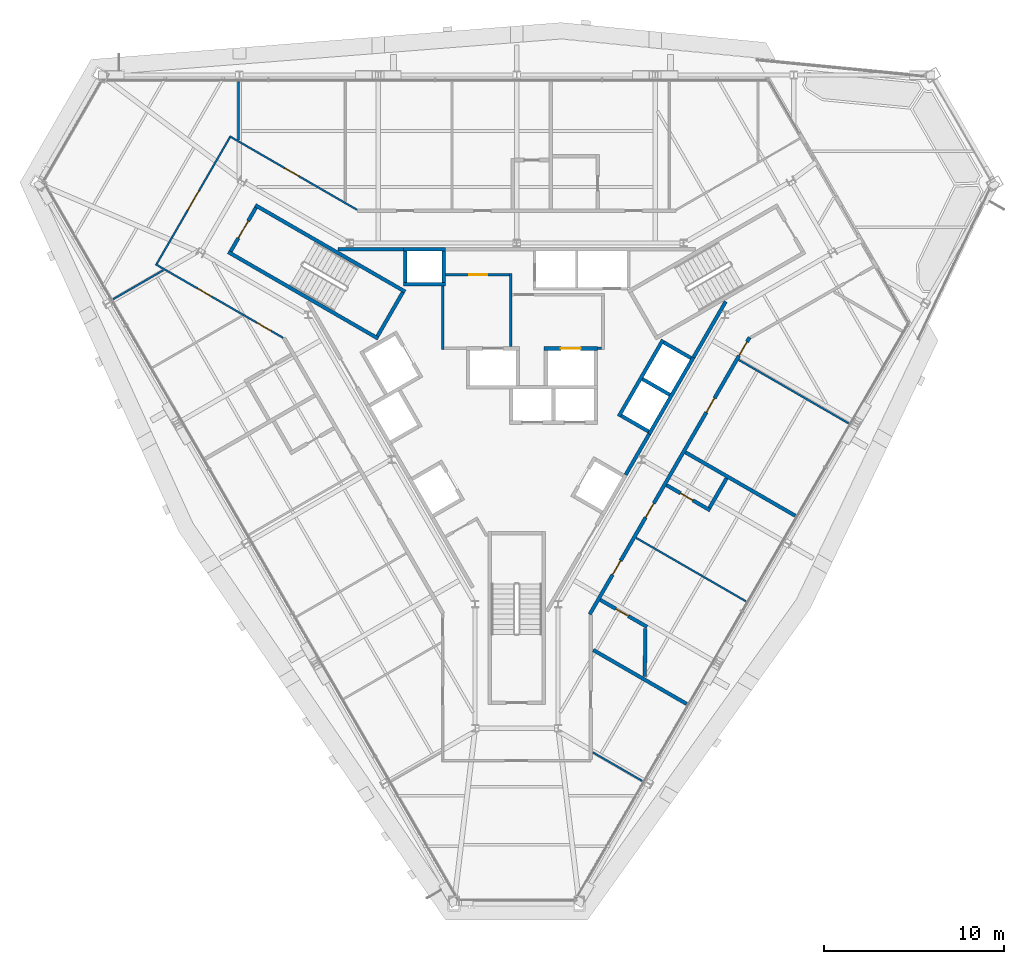
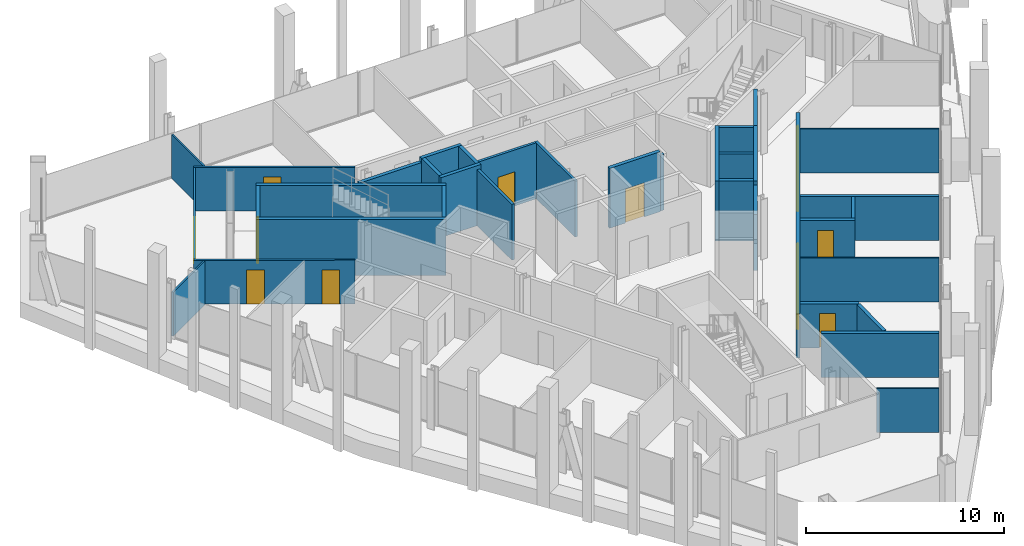
# One storey, part 9 of 13: 36 walls, 13 doors, 13 openings.
"""IFC4 building model written with IfcOpenShell, lengths in metres."""

from ifc_helpers import new_model, si_unit, direction, frame, frame_2d, origin, place, context, subcontext, project, spatial, rectangle, extrude, material, layer, layer_set, type_object, element, fill, save


model = new_model("IFC4")

# Units and contexts
model_context = context("Model", 3, precision=1e-05, world=origin(), true_north=direction((0.0, 1.0)))
body_context = subcontext(model_context, "Body", "Model", "MODEL_VIEW")
ifc_project = project(units=[si_unit("LENGTHUNIT", "METRE"), si_unit("AREAUNIT", "SQUARE_METRE"), si_unit("VOLUMEUNIT", "CUBIC_METRE"), si_unit("PLANEANGLEUNIT", "RADIAN"), si_unit("MASSUNIT", "GRAM", prefix="KILO")], contexts=[model_context])

# Site, building, storey
site_placement = place(None, origin())
site = spatial("IfcSite", under=ifc_project, at=site_placement, CompositionType="ELEMENT")
building_placement = place(site_placement, origin())
building = spatial("IfcBuilding", under=site, at=building_placement, Name="Verrane Prism Tower", CompositionType="ELEMENT")
storey_placement = place(building_placement, frame((0.0, 0.0, 171.0)))
storey = spatial("IfcBuildingStorey", under=building, at=storey_placement, Name="L42", CompositionType="ELEMENT", Elevation=171.0)

# Walls
ifc_material_1 = material(Name="Gypsum board partition", Category="other")
ifc_layer_1 = layer(ifc_material_1, 0.199951171875)
ifc_layer_set_1 = layer_set([ifc_layer_1], Name="CW-200 core boundary wall 2 h")
wall_type_1 = type_object("IfcWallType", Name="CW-200 core boundary wall 2 h", PredefinedType="PARTITIONING", material=ifc_layer_set_1)
wall_1_placement = place(storey_placement, frame((-9.907958984375, 7.659912109375, 0.0), z_axis=(0.0, 0.0, 1.0), x_axis=(1.0, 0.0, 0.0)))
element("IfcWall", 1, at=wall_1_placement, inside=storey, type_object=wall_type_1, Name="Core boundary wall CW3-002", PredefinedType="PARTITIONING", context=body_context, shape_type="SweptSolid", body=[
    extrude(rectangle(XDim=3.620849609375, YDim=0.199951171875, at=frame_2d((1.810546875, 0.0))), origin(), (0.0, 0.0, 1.0), 3.449951171875),
])
wall_2_placement = place(storey_placement, frame((6.0419921875, -4.85498046875, 0.0), z_axis=(0.0, 0.0, 1.0), x_axis=(0.500252727967, 0.865879442048, 0.0)))
element("IfcWall", 2, at=wall_2_placement, inside=storey, type_object=wall_type_1, Name="Core boundary wall CW3-007", PredefinedType="PARTITIONING", context=body_context, shape_type="SweptSolid", body=[
    extrude(rectangle(XDim=2.616943359375, YDim=0.199951171875, at=frame_2d((1.30859375, 0.0))), origin(), (0.0, 0.0, 1.0), 3.449951171875),
])
wall_3_placement = place(storey_placement, frame((9.802978515625, 1.657958984375, 0.0), z_axis=(0.0, 0.0, 1.0), x_axis=(0.499943114462, 0.866058244174, 0.0)))
element("IfcWall", 3, at=wall_3_placement, inside=storey, type_object=wall_type_1, Name="Core boundary wall CW3-008", PredefinedType="PARTITIONING", context=body_context, shape_type="SweptSolid", body=[
    extrude(rectangle(XDim=3.57568359375, YDim=0.199951171875, at=frame_2d((1.787841796875, 0.0))), origin(), (0.0, 0.0, 1.0), 3.449951171875),
])

# Wall, opening, door
ifc_material_2 = material(Name="Concrete C40/50", Category="concrete")
ifc_layer_2 = layer(ifc_material_2, 0.199951171875)
ifc_layer_set_2 = layer_set([ifc_layer_2], Name="CW-200 stair core wall concrete C40/50 3 h")
wall_type_2 = type_object("IfcWallType", Name="CW-200 stair core wall concrete C40/50 3 h", PredefinedType="PARTITIONING", material=ifc_layer_set_2)
wall_4_placement = place(storey_placement, frame((-14.455322265625, 9.96240234375, 0.0), z_axis=(0.0, 0.0, 1.0), x_axis=(-0.500049511043, -0.865996816683, 0.0)))
wall_4 = element("IfcWall", 4, at=wall_4_placement, inside=storey, type_object=wall_type_2, Name="Stair 2 enclosure wall", PredefinedType="PARTITIONING", context=body_context, shape_type="SweptSolid", body=[
    extrude(rectangle(XDim=2.800048828125, YDim=0.199951171875, at=frame_2d((1.39990234375, 0.0))), origin(), (0.0, 0.0, 1.0), 3.449951171875),
])
opening_1_placement = place(wall_4_placement, frame((0.849853515625, 0.0, 0.0)))
opening_1 = element("IfcOpeningElement", 5, at=opening_1_placement, cuts=wall_4, Name="Opening D42501", PredefinedType="OPENING", context=body_context, shape_type="SweptSolid", body=[
    extrude(rectangle(XDim=1.10009765625, YDim=2.10009765625, at=frame_2d((0.550048828125, 1.050048828125))), frame((0.0, 0.10986328125, 0.0), z_axis=(0.0, -1.0, 0.0), x_axis=(1.0, 0.0, 0.0)), (0.0, 0.0, 1.0), 0.219970703125),
])
ifc_material_3 = material(Name="Timber veneered door leaf", Category="wood")
door_type_1 = type_object("IfcDoorType", Name="DR-1100x2100 FD90 single leaf stair", OperationType="NOTDEFINED", PredefinedType="DOOR", material=ifc_material_3)
door_1_placement = place(opening_1_placement, origin())
door_1 = element("IfcDoor", 6, at=door_1_placement, inside=storey, type_object=door_type_1, Name="Stair 2 door", OperationType="SINGLE_SWING_RIGHT", OverallHeight=2.10009765625, OverallWidth=1.10009765625, PredefinedType="DOOR", context=body_context, shape_type="SweptSolid", body=[
    extrude(rectangle(XDim=1.10009765625, YDim=2.10009765625, at=frame_2d((0.550048828125, 1.050048828125))), frame((0.0, 0.02490234375, 0.0), z_axis=(0.0, -1.0, 0.0), x_axis=(1.0, 0.0, 0.0)), (0.0, 0.0, 1.0), 0.050048828125),
])
fill(opening_1, door_1)

# Walls
for number, where, z_axis, x_axis, name in (
    (7, (-7.67822265625, 2.700927734375, 0.0), (0.0, 0.0, 1.0), (-0.866019993635, 0.500009370536, 0.0), "Stair 2 enclosure wall"),
    (8, (-6.17822265625, 5.299072265625, 0.0), (0.0, 0.0, 1.0), (-0.866019993635, 0.500009370536, 0.0), "Stair 2 enclosure wall"),
):
    element("IfcWall", number, at=place(storey_placement, frame(where, z_axis=z_axis, x_axis=x_axis)), inside=storey, type_object=wall_type_2, Name=name, PredefinedType="PARTITIONING", context=body_context, shape_type="SweptSolid", body=[
        extrude(rectangle(XDim=9.599853515625, YDim=0.199951171875, at=frame_2d((4.7998046875, 0.0))), origin(), (0.0, 0.0, 1.0), 3.449951171875),
    ])
wall_5_placement = place(storey_placement, frame((-6.314697265625, 5.262451171875, 0.0), z_axis=(0.0, 0.0, 1.0), x_axis=(-0.500049511043, -0.865996816683, 0.0)))
element("IfcWall", 9, at=wall_5_placement, inside=storey, type_object=wall_type_2, Name="Stair 2 enclosure wall", PredefinedType="PARTITIONING", context=body_context, shape_type="SweptSolid", body=[
    extrude(rectangle(XDim=2.800048828125, YDim=0.199951171875, at=frame_2d((1.39990234375, 0.0))), origin(), (0.0, 0.0, 1.0), 3.449951171875),
])

# Wall, opening, door
ifc_material_4 = material(Name="Gypsum board shaft wall assembly", Category="other")
ifc_layer_3 = layer(ifc_material_4, 0.199951171875)
ifc_layer_set_3 = layer_set([ifc_layer_3], Name="HW-200 lift shaft wall 2 h")
wall_type_3 = type_object("IfcWallType", Name="HW-200 lift shaft wall 2 h", PredefinedType="PARTITIONING", material=ifc_layer_set_3)
wall_6_placement = place(storey_placement, frame((1.52490234375, 2.14990234375, 0.0), z_axis=(0.0, 0.0, 1.0), x_axis=(1.0, 0.0, 0.0)))
wall_6 = element("IfcWall", 10, at=wall_6_placement, inside=storey, type_object=wall_type_3, Name="Lift shaft wall", PredefinedType="PARTITIONING", context=body_context, shape_type="SweptSolid", body=[
    extrude(rectangle(XDim=2.9501953125, YDim=0.199951171875, at=frame_2d((1.47509765625, 0.0))), origin(), (0.0, 0.0, 1.0), 3.699951171875),
])
opening_2_placement = place(wall_6_placement, frame((0.925048828125, 0.0, 0.0)))
opening_2 = element("IfcOpeningElement", 11, at=opening_2_placement, cuts=wall_6, Name="Opening D42508", PredefinedType="OPENING", context=body_context, shape_type="SweptSolid", body=[
    extrude(rectangle(XDim=1.10009765625, YDim=2.10009765625, at=frame_2d((0.550048828125, 1.050048828125))), frame((0.0, 0.10986328125, 0.0), z_axis=(0.0, -1.0, 0.0), x_axis=(1.0, 0.0, 0.0)), (0.0, 0.0, 1.0), 0.219970703125),
])
ifc_material_5 = material(Name="Stainless steel sliding landing door", Category="steel")
door_type_2 = type_object("IfcDoorType", Name="LD-1100x2100 lift landing door FD90 sliding", OperationType="NOTDEFINED", PredefinedType="DOOR", material=ifc_material_5)
door_2_placement = place(opening_2_placement, origin())
door_2 = element("IfcDoor", 12, at=door_2_placement, inside=storey, type_object=door_type_2, Name="Fire service lift 2 landing door", OperationType="SLIDING_TO_RIGHT", OverallHeight=2.10009765625, OverallWidth=1.10009765625, PredefinedType="DOOR", context=body_context, shape_type="SweptSolid", body=[
    extrude(rectangle(XDim=1.10009765625, YDim=2.10009765625, at=frame_2d((0.550048828125, 1.050048828125))), frame((0.0, 0.02490234375, 0.0), z_axis=(0.0, -1.0, 0.0), x_axis=(1.0, 0.0, 0.0)), (0.0, 0.0, 1.0), 0.050048828125),
])
fill(opening_2, door_2)

# Walls
for number, where, z_axis, x_axis, name in (
    (13, (-6.284912109375, 5.7099609375, 0.0), (0.0, 0.0, 1.0), (1.0, 0.0, 0.0), "Lift shaft wall"),
    (14, (-6.284912109375, 7.659912109375, 0.0), (0.0, 0.0, 1.0), (1.0, 0.0, 0.0), "Lift shaft wall"),
):
    element("IfcWall", number, at=place(storey_placement, frame(where, z_axis=z_axis, x_axis=x_axis)), inside=storey, type_object=wall_type_3, Name=name, PredefinedType="PARTITIONING", context=body_context, shape_type="SweptSolid", body=[
        extrude(rectangle(XDim=2.349853515625, YDim=0.199951171875, at=frame_2d((1.1748046875, 0.0))), origin(), (0.0, 0.0, 1.0), 3.699951171875),
    ])
wall_7_placement = place(storey_placement, frame((7.351318359375, -2.587158203125, 0.0), z_axis=(0.0, 0.0, 1.0), x_axis=(0.500002801628, 0.866023786258, 0.0)))
element("IfcWall", 15, at=wall_7_placement, inside=storey, type_object=wall_type_3, Name="Lift shaft wall", PredefinedType="PARTITIONING", context=body_context, shape_type="SweptSolid", body=[
    extrude(rectangle(XDim=4.89990234375, YDim=0.199951171875, at=frame_2d((2.449951171875, 0.0))), origin(), (0.0, 0.0, 1.0), 3.699951171875),
])
wall_8_placement = place(storey_placement, frame((5.66259765625, -1.6123046875, 0.0), z_axis=(0.0, 0.0, 1.0), x_axis=(0.49998122708, 0.866036242063, 0.0)))
element("IfcWall", 16, at=wall_8_placement, inside=storey, type_object=wall_type_3, Name="Lift shaft wall", PredefinedType="PARTITIONING", context=body_context, shape_type="SweptSolid", body=[
    extrude(rectangle(XDim=4.900146484375, YDim=0.199951171875, at=frame_2d((2.4501953125, 0.0))), origin(), (0.0, 0.0, 1.0), 3.699951171875),
])
for number, where, z_axis, x_axis, name in (
    (17, (-4.034912109375, 5.81005859375, 0.0), (0.0, 0.0, 1.0), (0.0, 1.0, 0.0), "Lift shaft wall"),
    (18, (-6.18505859375, 5.81005859375, 0.0), (0.0, 0.0, 1.0), (0.0, 1.0, 0.0), "Lift shaft wall"),
):
    element("IfcWall", number, at=place(storey_placement, frame(where, z_axis=z_axis, x_axis=x_axis)), inside=storey, type_object=wall_type_3, Name=name, PredefinedType="PARTITIONING", context=body_context, shape_type="SweptSolid", body=[
        extrude(rectangle(XDim=1.75, YDim=0.199951171875, at=frame_2d((0.875, 0.0))), origin(), (0.0, 0.0, 1.0), 3.699951171875),
    ])
wall_9_placement = place(storey_placement, frame((9.66455078125, 1.61962890625, 0.0), z_axis=(0.0, 0.0, 1.0), x_axis=(-0.866002029911, 0.500040482552, 0.0)))
element("IfcWall", 19, at=wall_9_placement, inside=storey, type_object=wall_type_3, Name="Lift shaft wall", PredefinedType="PARTITIONING", context=body_context, shape_type="SweptSolid", body=[
    extrude(rectangle(XDim=1.749755859375, YDim=0.199951171875, at=frame_2d((0.875, 0.0))), origin(), (0.0, 0.0, 1.0), 3.699951171875),
])
for number, where, z_axis, x_axis, name in (
    (20, (8.48974609375, -0.41552734375, 0.0), (0.0, 0.0, 1.0), (-0.866036909293, 0.499980071345, 0.0), "Lift shaft wall"),
    (21, (7.314697265625, -2.45068359375, 0.0), (0.0, 0.0, 1.0), (-0.866036909293, 0.499980071345, 0.0), "Lift shaft wall"),
):
    element("IfcWall", number, at=place(storey_placement, frame(where, z_axis=z_axis, x_axis=x_axis)), inside=storey, type_object=wall_type_3, Name=name, PredefinedType="PARTITIONING", context=body_context, shape_type="SweptSolid", body=[
        extrude(rectangle(XDim=1.75, YDim=0.199951171875, at=frame_2d((0.875, 0.0))), origin(), (0.0, 0.0, 1.0), 3.699951171875),
    ])
ifc_material_6 = material(Name="Gypsum board partition", Category="other")
ifc_layer_4 = layer(ifc_material_6, 0.14990234375)
ifc_layer_set_4 = layer_set([ifc_layer_4], Name="LF-150 firefighting lobby wall 1 h")
wall_type_4 = type_object("IfcWallType", Name="LF-150 firefighting lobby wall 1 h", PredefinedType="PARTITIONING", material=ifc_layer_set_4)
wall_10_placement = place(storey_placement, frame((-4.10009765625, 2.0849609375, 0.0), z_axis=(0.0, 0.0, 1.0), x_axis=(0.0, 1.0, 0.0)))
element("IfcWall", 22, at=wall_10_placement, inside=storey, type_object=wall_type_4, Name="Firefighting lobby wall LF1-001", PredefinedType="PARTITIONING", context=body_context, shape_type="SweptSolid", body=[
    extrude(rectangle(XDim=3.52294921875, YDim=0.14990234375, at=frame_2d((1.761474609375, 0.0))), origin(), (0.0, 0.0, 1.0), 3.449951171875),
])

# Wall, opening, door
wall_11_placement = place(storey_placement, frame((-3.93310546875, 6.239990234375, 0.0), z_axis=(0.0, 0.0, 1.0), x_axis=(1.0, 0.0, 0.0)))
wall_11 = element("IfcWall", 23, at=wall_11_placement, inside=storey, type_object=wall_type_4, Name="Firefighting lobby wall LF1-003", PredefinedType="PARTITIONING", context=body_context, shape_type="SweptSolid", body=[
    extrude(rectangle(XDim=3.5380859375, YDim=0.14990234375, at=frame_2d((1.76904296875, 0.0))), origin(), (0.0, 0.0, 1.0), 3.449951171875),
])
opening_3_placement = place(wall_11_placement, frame((1.300048828125, 0.0, 0.0)))
opening_3 = element("IfcOpeningElement", 24, at=opening_3_placement, cuts=wall_11, Name="Opening D42512", PredefinedType="OPENING", context=body_context, shape_type="SweptSolid", body=[
    extrude(rectangle(XDim=1.0, YDim=2.10009765625, at=frame_2d((0.5, 1.050048828125))), frame((0.0, 0.0849609375, 0.0), z_axis=(0.0, -1.0, 0.0), x_axis=(1.0, 0.0, 0.0)), (0.0, 0.0, 1.0), 0.169921875),
])
ifc_material_7 = material(Name="Timber veneered door leaf", Category="wood")
door_type_3 = type_object("IfcDoorType", Name="DR-1000x2100 FD60 single leaf firefighting lobby", OperationType="NOTDEFINED", PredefinedType="DOOR", material=ifc_material_7)
door_3_placement = place(opening_3_placement, origin())
door_3 = element("IfcDoor", 25, at=door_3_placement, inside=storey, type_object=door_type_3, Name="Firefighting lobby door D42512", OperationType="SINGLE_SWING_LEFT", OverallHeight=2.10009765625, OverallWidth=1.0, PredefinedType="DOOR", context=body_context, shape_type="SweptSolid", body=[
    extrude(rectangle(XDim=1.0, YDim=2.10009765625, at=frame_2d((0.5, 1.050048828125))), frame((0.0, 0.02490234375, 0.0), z_axis=(0.0, -1.0, 0.0), x_axis=(1.0, 0.0, 0.0)), (0.0, 0.0, 1.0), 0.050048828125),
])
fill(opening_3, door_3)

# Walls
wall_12_placement = place(storey_placement, frame((-0.320068359375, 2.251953125, 0.0), z_axis=(0.0, 0.0, 1.0), x_axis=(0.0, 1.0, 0.0)))
element("IfcWall", 26, at=wall_12_placement, inside=storey, type_object=wall_type_4, Name="Firefighting lobby wall LF1-004", PredefinedType="PARTITIONING", context=body_context, shape_type="SweptSolid", body=[
    extrude(rectangle(XDim=4.06298828125, YDim=0.14990234375, at=frame_2d((2.031494140625, 0.0))), origin(), (0.0, 0.0, 1.0), 3.449951171875),
])
wall_13_placement = place(storey_placement, frame((4.47705078125, 2.159912109375, 0.0), z_axis=(0.0, 0.0, 1.0), x_axis=(1.0, 0.0, 0.0)))
element("IfcWall", 27, at=wall_13_placement, inside=storey, type_object=wall_type_4, Name="Firefighting lobby wall LF1-006", PredefinedType="PARTITIONING", context=body_context, shape_type="SweptSolid", body=[
    extrude(rectangle(XDim=0.238037109375, YDim=0.14990234375, at=frame_2d((0.119140625, 0.0))), origin(), (0.0, 0.0, 1.0), 3.449951171875),
])
ifc_material_8 = material(Name="Gypsum board partition", Category="other")
ifc_layer_5 = layer(ifc_material_8, 0.10009765625)
ifc_layer_set_5 = layer_set([ifc_layer_5], Name="PW-100 room partition")
wall_type_5 = type_object("IfcWallType", Name="PW-100 room partition", PredefinedType="PARTITIONING", material=ifc_layer_set_5)
wall_14_placement = place(storey_placement, frame((-22.375, 4.885009765625, 0.0), z_axis=(0.0, 0.0, 1.0), x_axis=(0.866164079783, 0.499759729163, 0.0)))
element("IfcWall", 28, at=wall_14_placement, inside=storey, type_object=wall_type_5, Name="Room partition 001", PredefinedType="PARTITIONING", context=body_context, shape_type="SweptSolid", body=[
    extrude(rectangle(XDim=3.212890625, YDim=0.10009765625, at=frame_2d((1.6064453125, 0.0))), origin(), (0.0, 0.0, 1.0), 2.712890625),
])

# Wall, opening, door
wall_15_placement = place(storey_placement, frame((-19.955078125, 6.84423828125, 0.0), z_axis=(0.0, 0.0, 1.0), x_axis=(0.500415732313, 0.865785247537, 0.0)))
wall_15 = element("IfcWall", 29, at=wall_15_placement, inside=storey, type_object=wall_type_5, Name="Room partition 003", PredefinedType="PARTITIONING", context=body_context, shape_type="SweptSolid", body=[
    extrude(rectangle(XDim=8.09716796875, YDim=0.10009765625, at=frame_2d((4.048583984375, 0.0))), origin(), (0.0, 0.0, 1.0), 2.712890625),
])
opening_4_placement = place(wall_15_placement, frame((3.449951171875, 0.0, 0.0)))
opening_4 = element("IfcOpeningElement", 30, at=opening_4_placement, cuts=wall_15, Name="Opening D42009", PredefinedType="OPENING", context=body_context, shape_type="SweptSolid", body=[
    extrude(rectangle(XDim=1.199951171875, YDim=2.10009765625, at=frame_2d((0.60009765625, 1.050048828125))), frame((0.0, 0.06005859375, 0.0), z_axis=(0.0, -1.0, 0.0), x_axis=(1.0, 0.0, 0.0)), (0.0, 0.0, 1.0), 0.1201171875),
])
ifc_material_9 = material(Name="Timber veneered door leaf", Category="wood")
door_type_4 = type_object("IfcDoorType", Name="DR-1200x2100 single leaf unit", OperationType="NOTDEFINED", PredefinedType="DOOR", material=ifc_material_9)
door_4_placement = place(opening_4_placement, origin())
door_4 = element("IfcDoor", 31, at=door_4_placement, inside=storey, type_object=door_type_4, Name="Living And Dining Room door", OperationType="SINGLE_SWING_LEFT", OverallHeight=2.10009765625, OverallWidth=1.199951171875, PredefinedType="DOOR", context=body_context, shape_type="SweptSolid", body=[
    extrude(rectangle(XDim=1.199951171875, YDim=2.10009765625, at=frame_2d((0.60009765625, 1.050048828125))), frame((0.0, 0.02490234375, 0.0), z_axis=(0.0, -1.0, 0.0), x_axis=(1.0, 0.0, 0.0)), (0.0, 0.0, 1.0), 0.050048828125),
])
fill(opening_4, door_4)

# Wall, openings, doors
wall_16_placement = place(storey_placement, frame((-12.95166015625, 2.744384765625, 0.0), z_axis=(0.0, 0.0, 1.0), x_axis=(-0.86608949446, 0.499888975259, 0.0)))
wall_16 = element("IfcWall", 32, at=wall_16_placement, inside=storey, type_object=wall_type_5, Name="Room partition 004", PredefinedType="PARTITIONING", context=body_context, shape_type="SweptSolid", body=[
    extrude(rectangle(XDim=8.164794921875, YDim=0.10009765625, at=frame_2d((4.08251953125, 0.0))), origin(), (0.0, 0.0, 1.0), 2.712890625),
])
opening_5_placement = place(wall_16_placement, frame((4.5810546875, 0.0, 0.0)))
opening_5 = element("IfcOpeningElement", 33, at=opening_5_placement, cuts=wall_16, Name="Opening D42010", PredefinedType="OPENING", context=body_context, shape_type="SweptSolid", body=[
    extrude(rectangle(XDim=0.89990234375, YDim=2.10009765625, at=frame_2d((0.449951171875, 1.050048828125))), frame((0.0, 0.06005859375, 0.0), z_axis=(0.0, -1.0, 0.0), x_axis=(1.0, 0.0, 0.0)), (0.0, 0.0, 1.0), 0.1201171875),
])
opening_6_placement = place(wall_16_placement, frame((0.776123046875, 0.0, 0.0)))
opening_6 = element("IfcOpeningElement", 34, at=opening_6_placement, cuts=wall_16, Name="Opening D42011", PredefinedType="OPENING", context=body_context, shape_type="SweptSolid", body=[
    extrude(rectangle(XDim=0.89990234375, YDim=2.10009765625, at=frame_2d((0.449951171875, 1.050048828125))), frame((0.0, 0.06005859375, 0.0), z_axis=(0.0, -1.0, 0.0), x_axis=(1.0, 0.0, 0.0)), (0.0, 0.0, 1.0), 0.1201171875),
])
ifc_material_10 = material(Name="Timber veneered door leaf", Category="wood")
door_type_5 = type_object("IfcDoorType", Name="DR-900x2100 single leaf inner", OperationType="NOTDEFINED", PredefinedType="DOOR", material=ifc_material_10)
door_5_placement = place(opening_6_placement, origin())
door_5 = element("IfcDoor", 35, at=door_5_placement, inside=storey, type_object=door_type_5, Name="Master Bedroom door", OperationType="SINGLE_SWING_RIGHT", OverallHeight=2.10009765625, OverallWidth=0.89990234375, PredefinedType="DOOR", context=body_context, shape_type="SweptSolid", body=[
    extrude(rectangle(XDim=0.89990234375, YDim=2.10009765625, at=frame_2d((0.449951171875, 1.050048828125))), frame((0.0, 0.02490234375, 0.0), z_axis=(0.0, -1.0, 0.0), x_axis=(1.0, 0.0, 0.0)), (0.0, 0.0, 1.0), 0.050048828125),
])
fill(opening_6, door_5)
ifc_material_11 = material(Name="Timber veneered door leaf", Category="wood")
door_type_6 = type_object("IfcDoorType", Name="DR-900x2100 single leaf unit", OperationType="NOTDEFINED", PredefinedType="DOOR", material=ifc_material_11)
door_6_placement = place(opening_5_placement, origin())
door_6 = element("IfcDoor", 36, at=door_6_placement, inside=storey, type_object=door_type_6, Name="Kitchen door", OperationType="SINGLE_SWING_LEFT", OverallHeight=2.10009765625, OverallWidth=0.89990234375, PredefinedType="DOOR", context=body_context, shape_type="SweptSolid", body=[
    extrude(rectangle(XDim=0.89990234375, YDim=2.10009765625, at=frame_2d((0.449951171875, 1.050048828125))), frame((0.0, 0.02490234375, 0.0), z_axis=(0.0, -1.0, 0.0), x_axis=(1.0, 0.0, 0.0)), (0.0, 0.0, 1.0), 0.050048828125),
])
fill(opening_5, door_6)

# Wall, opening, door
wall_17_placement = place(storey_placement, frame((-15.92138671875, 13.923095703125, 0.0), z_axis=(0.0, 0.0, 1.0), x_axis=(0.866088973199, -0.499889878377, 0.0)))
wall_17 = element("IfcWall", 37, at=wall_17_placement, inside=storey, type_object=wall_type_5, Name="Room partition 006", PredefinedType="PARTITIONING", context=body_context, shape_type="SweptSolid", body=[
    extrude(rectangle(XDim=8.162841796875, YDim=0.10009765625, at=frame_2d((4.08154296875, 0.0))), origin(), (0.0, 0.0, 1.0), 2.712890625),
])
opening_7_placement = place(wall_17_placement, frame((3.531982421875, 0.0, 0.0)))
opening_7 = element("IfcOpeningElement", 38, at=opening_7_placement, cuts=wall_17, Name="Opening D42008", PredefinedType="OPENING", context=body_context, shape_type="SweptSolid", body=[
    extrude(rectangle(XDim=0.89990234375, YDim=2.10009765625, at=frame_2d((0.449951171875, 1.050048828125))), frame((0.0, 0.06005859375, 0.0), z_axis=(0.0, -1.0, 0.0), x_axis=(1.0, 0.0, 0.0)), (0.0, 0.0, 1.0), 0.1201171875),
])
door_7_placement = place(opening_7_placement, origin())
door_7 = element("IfcDoor", 39, at=door_7_placement, inside=storey, type_object=door_type_6, Name="Study door", OperationType="SINGLE_SWING_RIGHT", OverallHeight=2.10009765625, OverallWidth=0.89990234375, PredefinedType="DOOR", context=body_context, shape_type="SweptSolid", body=[
    extrude(rectangle(XDim=0.89990234375, YDim=2.10009765625, at=frame_2d((0.449951171875, 1.050048828125))), frame((0.0, 0.02490234375, 0.0), z_axis=(0.0, -1.0, 0.0), x_axis=(1.0, 0.0, 0.0)), (0.0, 0.0, 1.0), 0.050048828125),
])
fill(opening_7, door_7)

# Walls
wall_18_placement = place(storey_placement, frame((-15.4169921875, 13.718505859375, 0.0), z_axis=(0.0, 0.0, 1.0), x_axis=(0.0, 1.0, 0.0)))
element("IfcWall", 40, at=wall_18_placement, inside=storey, type_object=wall_type_5, Name="Room partition 007", PredefinedType="PARTITIONING", context=body_context, shape_type="SweptSolid", body=[
    extrude(rectangle(XDim=3.216552734375, YDim=0.10009765625, at=frame_2d((1.6083984375, 0.0))), origin(), (0.0, 0.0, 1.0), 2.712890625),
])
wall_19_placement = place(storey_placement, frame((4.22509765625, -20.2421875, 0.0), z_axis=(0.0, 0.0, 1.0), x_axis=(0.866015493058, -0.500017165488, 0.0)))
element("IfcWall", 41, at=wall_19_placement, inside=storey, type_object=wall_type_5, Name="Room partition 027", PredefinedType="PARTITIONING", context=body_context, shape_type="SweptSolid", body=[
    extrude(rectangle(XDim=3.1552734375, YDim=0.10009765625, at=frame_2d((1.57763671875, 0.0))), origin(), (0.0, 0.0, 1.0), 2.712890625),
])
wall_20_placement = place(storey_placement, frame((6.619873046875, -8.346435546875, 0.0), z_axis=(0.0, 0.0, 1.0), x_axis=(0.866005124189, -0.500035123644, 0.0)))
element("IfcWall", 42, at=wall_20_placement, inside=storey, type_object=wall_type_5, Name="Room partition 032", PredefinedType="PARTITIONING", context=body_context, shape_type="SweptSolid", body=[
    extrude(rectangle(XDim=7.029296875, YDim=0.10009765625, at=frame_2d((3.5146484375, 0.0))), origin(), (0.0, 0.0, 1.0), 2.712890625),
])
wall_21_placement = place(storey_placement, frame((12.310546875, 1.51904296875, 0.0), z_axis=(0.0, 0.0, 1.0), x_axis=(0.86600002964, -0.500043946731, 0.0)))
element("IfcWall", 43, at=wall_21_placement, inside=storey, type_object=wall_type_5, Name="Room partition 039", PredefinedType="PARTITIONING", context=body_context, shape_type="SweptSolid", body=[
    extrude(rectangle(XDim=7.033447265625, YDim=0.10009765625, at=frame_2d((3.5166015625, 0.0))), origin(), (0.0, 0.0, 1.0), 2.712890625),
])
ifc_material_12 = material(Name="Gypsum board partition", Category="other")
ifc_layer_6 = layer(ifc_material_12, 0.199951171875)
ifc_layer_set_6 = layer_set([ifc_layer_6], Name="PW-200 plumbing wall")
wall_type_6 = type_object("IfcWallType", Name="PW-200 plumbing wall", PredefinedType="PARTITIONING", material=ifc_layer_set_6)
wall_22_placement = place(storey_placement, frame((4.25, -14.565673828125, 0.0), z_axis=(0.0, 0.0, 1.0), x_axis=(0.865990187664, -0.500060991149, 0.0)))
element("IfcWall", 44, at=wall_22_placement, inside=storey, type_object=wall_type_6, Name="Plumbing wall 028", PredefinedType="PARTITIONING", context=body_context, shape_type="SweptSolid", body=[
    extrude(rectangle(XDim=5.971923828125, YDim=0.199951171875, at=frame_2d((2.98583984375, 0.0))), origin(), (0.0, 0.0, 1.0), 2.712890625),
])

# Wall, openings, doors
wall_23_placement = place(storey_placement, frame((12.91552734375, 2.766845703125, 0.0), z_axis=(0.0, 0.0, 1.0), x_axis=(-0.499999767326, -0.866025538119, 0.0)))
wall_23 = element("IfcWall", 45, at=wall_23_placement, inside=storey, type_object=wall_type_6, Name="Plumbing wall 029", PredefinedType="PARTITIONING", context=body_context, shape_type="SweptSolid", body=[
    extrude(rectangle(XDim=17.73095703125, YDim=0.199951171875, at=frame_2d((8.865478515625, 0.0))), origin(), (0.0, 0.0, 1.0), 2.712890625),
])
opening_8_placement = place(wall_23_placement, frame((14.29296875, 0.0, 0.0)))
opening_8 = element("IfcOpeningElement", 46, at=opening_8_placement, cuts=wall_23, Name="Opening D42020", PredefinedType="OPENING", context=body_context, shape_type="SweptSolid", body=[
    extrude(rectangle(XDim=0.89990234375, YDim=2.10009765625, at=frame_2d((0.449951171875, 1.050048828125))), frame((0.0, 0.10986328125, 0.0), z_axis=(0.0, -1.0, 0.0), x_axis=(1.0, 0.0, 0.0)), (0.0, 0.0, 1.0), 0.219970703125),
])
opening_9_placement = place(wall_23_placement, frame((10.6220703125, 0.0, 0.0)))
opening_9 = element("IfcOpeningElement", 47, at=opening_9_placement, cuts=wall_23, Name="Opening D42022", PredefinedType="OPENING", context=body_context, shape_type="SweptSolid", body=[
    extrude(rectangle(XDim=0.89990234375, YDim=2.10009765625, at=frame_2d((0.449951171875, 1.050048828125))), frame((0.0, 0.10986328125, 0.0), z_axis=(0.0, -1.0, 0.0), x_axis=(1.0, 0.0, 0.0)), (0.0, 0.0, 1.0), 0.219970703125),
])
opening_10_placement = place(wall_23_placement, frame((3.89697265625, 0.0, 0.0)))
opening_10 = element("IfcOpeningElement", 48, at=opening_10_placement, cuts=wall_23, Name="Opening D42024", PredefinedType="OPENING", context=body_context, shape_type="SweptSolid", body=[
    extrude(rectangle(XDim=0.89990234375, YDim=2.10009765625, at=frame_2d((0.449951171875, 1.050048828125))), frame((0.0, 0.10986328125, 0.0), z_axis=(0.0, -1.0, 0.0), x_axis=(1.0, 0.0, 0.0)), (0.0, 0.0, 1.0), 0.219970703125),
])
opening_11_placement = place(wall_23_placement, frame((0.282958984375, 0.0, 0.0)))
opening_11 = element("IfcOpeningElement", 49, at=opening_11_placement, cuts=wall_23, Name="Opening D42025", PredefinedType="OPENING", context=body_context, shape_type="SweptSolid", body=[
    extrude(rectangle(XDim=0.89990234375, YDim=2.10009765625, at=frame_2d((0.449951171875, 1.050048828125))), frame((0.0, 0.10986328125, 0.0), z_axis=(0.0, -1.0, 0.0), x_axis=(1.0, 0.0, 0.0)), (0.0, 0.0, 1.0), 0.219970703125),
])
door_8_placement = place(opening_8_placement, origin())
door_8 = element("IfcDoor", 50, at=door_8_placement, inside=storey, type_object=door_type_5, Name="Master Bedroom door", OperationType="SINGLE_SWING_LEFT", OverallHeight=2.10009765625, OverallWidth=0.89990234375, PredefinedType="DOOR", context=body_context, shape_type="SweptSolid", body=[
    extrude(rectangle(XDim=0.89990234375, YDim=2.10009765625, at=frame_2d((0.449951171875, 1.050048828125))), frame((0.0, 0.02490234375, 0.0), z_axis=(0.0, -1.0, 0.0), x_axis=(1.0, 0.0, 0.0)), (0.0, 0.0, 1.0), 0.050048828125),
])
fill(opening_8, door_8)
door_9_placement = place(opening_9_placement, origin())
door_9 = element("IfcDoor", 51, at=door_9_placement, inside=storey, type_object=door_type_5, Name="Bedroom door", OperationType="SINGLE_SWING_LEFT", OverallHeight=2.10009765625, OverallWidth=0.89990234375, PredefinedType="DOOR", context=body_context, shape_type="SweptSolid", body=[
    extrude(rectangle(XDim=0.89990234375, YDim=2.10009765625, at=frame_2d((0.449951171875, 1.050048828125))), frame((0.0, 0.02490234375, 0.0), z_axis=(0.0, -1.0, 0.0), x_axis=(1.0, 0.0, 0.0)), (0.0, 0.0, 1.0), 0.050048828125),
])
fill(opening_9, door_9)
door_10_placement = place(opening_10_placement, origin())
door_10 = element("IfcDoor", 52, at=door_10_placement, inside=storey, type_object=door_type_6, Name="Study door", OperationType="SINGLE_SWING_LEFT", OverallHeight=2.10009765625, OverallWidth=0.89990234375, PredefinedType="DOOR", context=body_context, shape_type="SweptSolid", body=[
    extrude(rectangle(XDim=0.89990234375, YDim=2.10009765625, at=frame_2d((0.449951171875, 1.050048828125))), frame((0.0, 0.02490234375, 0.0), z_axis=(0.0, -1.0, 0.0), x_axis=(1.0, 0.0, 0.0)), (0.0, 0.0, 1.0), 0.050048828125),
])
fill(opening_10, door_10)
door_11_placement = place(opening_11_placement, origin())
door_11 = element("IfcDoor", 53, at=door_11_placement, inside=storey, type_object=door_type_6, Name="Study door", OperationType="SINGLE_SWING_RIGHT", OverallHeight=2.10009765625, OverallWidth=0.89990234375, PredefinedType="DOOR", context=body_context, shape_type="SweptSolid", body=[
    extrude(rectangle(XDim=0.89990234375, YDim=2.10009765625, at=frame_2d((0.449951171875, 1.050048828125))), frame((0.0, 0.02490234375, 0.0), z_axis=(0.0, -1.0, 0.0), x_axis=(1.0, 0.0, 0.0)), (0.0, 0.0, 1.0), 0.050048828125),
])
fill(opening_11, door_11)

# Wall, opening, door
wall_24_placement = place(storey_placement, frame((7.228515625, -13.282958984375, 0.0), z_axis=(0.0, 0.0, 1.0), x_axis=(-0.866010750942, 0.50002537861, 0.0)))
wall_24 = element("IfcWall", 54, at=wall_24_placement, inside=storey, type_object=wall_type_6, Name="Plumbing wall 031", PredefinedType="PARTITIONING", context=body_context, shape_type="SweptSolid", body=[
    extrude(rectangle(XDim=2.999755859375, YDim=0.199951171875, at=frame_2d((1.5, 0.0))), origin(), (0.0, 0.0, 1.0), 2.712890625),
])
opening_12_placement = place(wall_24_placement, frame((1.199951171875, 0.0, 0.0)))
opening_12 = element("IfcOpeningElement", 55, at=opening_12_placement, cuts=wall_24, Name="Opening D42021", PredefinedType="OPENING", context=body_context, shape_type="SweptSolid", body=[
    extrude(rectangle(XDim=0.800048828125, YDim=2.10009765625, at=frame_2d((0.39990234375, 1.050048828125))), frame((0.0, 0.10986328125, 0.0), z_axis=(0.0, -1.0, 0.0), x_axis=(1.0, 0.0, 0.0)), (0.0, 0.0, 1.0), 0.219970703125),
])
ifc_material_13 = material(Name="Timber veneered door leaf", Category="wood")
door_type_7 = type_object("IfcDoorType", Name="DR-800x2100 single leaf bath", OperationType="NOTDEFINED", PredefinedType="DOOR", material=ifc_material_13)
door_12_placement = place(opening_12_placement, origin())
door_12 = element("IfcDoor", 56, at=door_12_placement, inside=storey, type_object=door_type_7, Name="Master Bathroom door", OperationType="SINGLE_SWING_RIGHT", OverallHeight=2.10009765625, OverallWidth=0.800048828125, PredefinedType="DOOR", context=body_context, shape_type="SweptSolid", body=[
    extrude(rectangle(XDim=0.800048828125, YDim=2.10009765625, at=frame_2d((0.39990234375, 1.050048828125))), frame((0.0, 0.02490234375, 0.0), z_axis=(0.0, -1.0, 0.0), x_axis=(1.0, 0.0, 0.0)), (0.0, 0.0, 1.0), 0.050048828125),
])
fill(opening_12, door_12)

# Wall
wall_25_placement = place(storey_placement, frame((7.102294921875, -16.04052734375, 0.0), z_axis=(0.0, 0.0, 1.0), x_axis=(0.014157711251, 0.999899774584, 0.0)))
element("IfcWall", 57, at=wall_25_placement, inside=storey, type_object=wall_type_6, Name="Plumbing wall 033", PredefinedType="PARTITIONING", context=body_context, shape_type="SweptSolid", body=[
    extrude(rectangle(XDim=2.6728515625, YDim=0.199951171875, at=frame_2d((1.33642578125, 0.0))), origin(), (0.0, 0.0, 1.0), 2.712890625),
])

# Wall, opening, door
wall_26_placement = place(storey_placement, frame((8.307861328125, -5.423583984375, 0.0), z_axis=(0.0, 0.0, 1.0), x_axis=(0.866041588165, -0.499971966783, 0.0)))
wall_26 = element("IfcWall", 58, at=wall_26_placement, inside=storey, type_object=wall_type_6, Name="Plumbing wall 034", PredefinedType="PARTITIONING", context=body_context, shape_type="SweptSolid", body=[
    extrude(rectangle(XDim=2.795166015625, YDim=0.199951171875, at=frame_2d((1.3974609375, 0.0))), origin(), (0.0, 0.0, 1.0), 2.712890625),
])
opening_13_placement = place(wall_26_placement, frame((0.89501953125, 0.0, 0.0)))
opening_13 = element("IfcOpeningElement", 59, at=opening_13_placement, cuts=wall_26, Name="Opening D42023", PredefinedType="OPENING", context=body_context, shape_type="SweptSolid", body=[
    extrude(rectangle(XDim=0.800048828125, YDim=2.10009765625, at=frame_2d((0.39990234375, 1.050048828125))), frame((0.0, 0.10986328125, 0.0), z_axis=(0.0, -1.0, 0.0), x_axis=(1.0, 0.0, 0.0)), (0.0, 0.0, 1.0), 0.219970703125),
])
door_13_placement = place(opening_13_placement, origin())
door_13 = element("IfcDoor", 60, at=door_13_placement, inside=storey, type_object=door_type_7, Name="Bathroom door", OperationType="SINGLE_SWING_LEFT", OverallHeight=2.10009765625, OverallWidth=0.800048828125, PredefinedType="DOOR", context=body_context, shape_type="SweptSolid", body=[
    extrude(rectangle(XDim=0.800048828125, YDim=2.10009765625, at=frame_2d((0.39990234375, 1.050048828125))), frame((0.0, 0.02490234375, 0.0), z_axis=(0.0, -1.0, 0.0), x_axis=(1.0, 0.0, 0.0)), (0.0, 0.0, 1.0), 0.050048828125),
])
fill(opening_13, door_13)

# Walls
wall_27_placement = place(storey_placement, frame((9.35791015625, -3.6044921875, 0.0), z_axis=(0.0, 0.0, 1.0), x_axis=(0.866011480283, -0.500024115436, 0.0)))
element("IfcWall", 61, at=wall_27_placement, inside=storey, type_object=wall_type_6, Name="Plumbing wall 037", PredefinedType="PARTITIONING", context=body_context, shape_type="SweptSolid", body=[
    extrude(rectangle(XDim=7.029052734375, YDim=0.199951171875, at=frame_2d((3.5146484375, 0.0))), origin(), (0.0, 0.0, 1.0), 2.712890625),
])
wall_28_placement = place(storey_placement, frame((10.69189453125, -6.684326171875, 0.0), z_axis=(0.0, 0.0, 1.0), x_axis=(0.499949193323, 0.866054735046, 0.0)))
element("IfcWall", 62, at=wall_28_placement, inside=storey, type_object=wall_type_6, Name="Plumbing wall 038", PredefinedType="PARTITIONING", context=body_context, shape_type="SweptSolid", body=[
    extrude(rectangle(XDim=1.895263671875, YDim=0.199951171875, at=frame_2d((0.94775390625, 0.0))), origin(), (0.0, 0.0, 1.0), 2.712890625),
])

save(model, "model.ifc")
